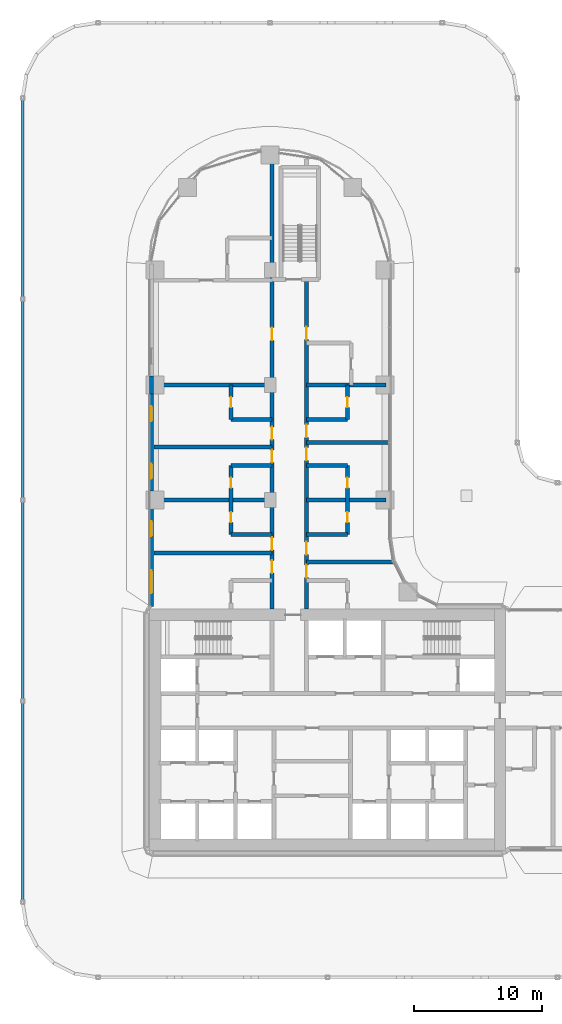
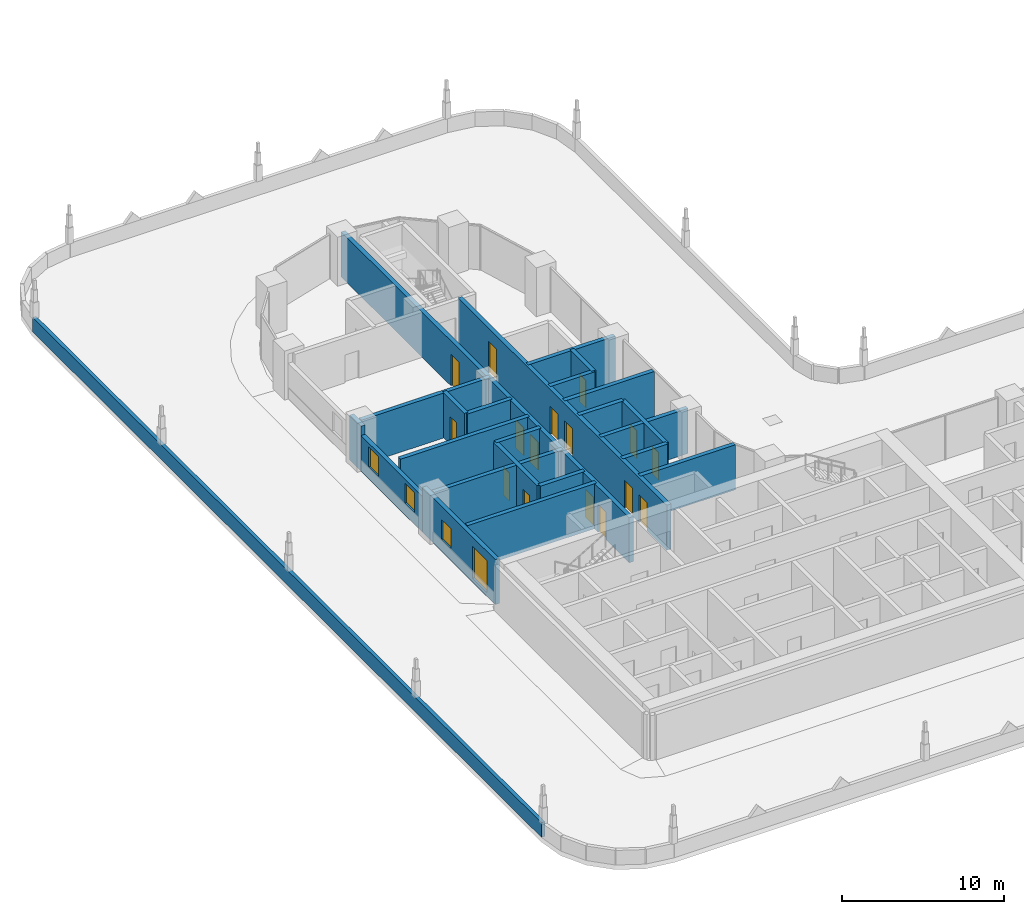
# One storey, part 26 of 51: 24 walls, 16 doors, 4 windows, 20 openings.
"""IFC4 building model written with IfcOpenShell, lengths in metres."""

import ifcopenshell
import ifcopenshell.guid

model = None  # the IFC model being written
_history = None  # IfcOwnerHistory: only IFC2X3 demands one
_inside = {}  # id of a spatial element -> (the spatial element, [elements in it])
_under = {}  # id of a project, library or spatial element -> (it, [spatial elements below it])
_declared = {}  # id of a project -> (the project, [libraries it declares])
_typed = {}  # id of a type object -> (the type object, [elements of that type])
_made_of = {}  # id of a material, layer set ... -> (it, [elements and type objects made of it])


def new_model(schema):
    """Start an empty IFC model of exactly this schema.

    Asked for "IFC4X3", IfcOpenShell would pick the latest addendum, in which some entities
    have other attributes; the version numbers below select the first issue.
    IFC2X3 requires an IfcOwnerHistory on every rooted entity: one is made here for all.
    """
    global model, _history
    if schema == "IFC4X3":
        model = ifcopenshell.file(schema_version=(4, 3, 0, 0))
    else:
        model = ifcopenshell.file(schema=schema)
    _inside.clear()
    _under.clear()
    _declared.clear()
    _typed.clear()
    _made_of.clear()
    _history = None
    if model.schema == "IFC2X3":
        org = make("IfcOrganization", Name="unknown")
        user = make(
            "IfcPersonAndOrganization",
            ThePerson=make("IfcPerson", FamilyName="unknown"),
            TheOrganization=org,
        )
        app = make(
            "IfcApplication",
            ApplicationDeveloper=org,
            Version="unknown",
            ApplicationFullName="unknown",
            ApplicationIdentifier="unknown",
        )
        _history = make(
            "IfcOwnerHistory",
            OwningUser=user,
            OwningApplication=app,
            ChangeAction="ADDED",
            CreationDate=0,
        )
    return model


def make(cls, **values):
    """One entity of the class cls with the attributes given. An attribute that is None is left unset."""
    return model.create_entity(
        cls, **{name: value for name, value in values.items() if value is not None}
    )


def rooted(cls, **values):
    """An entity with a GlobalId (a new one), such as an element, a storey or a relation."""
    return make(cls, GlobalId=ifcopenshell.guid.new(), OwnerHistory=_history, **values)


def si_unit(unit_type, name, prefix=None):
    """IfcSIUnit, for example si_unit("LENGTHUNIT", "METRE", prefix="MILLI")."""
    return make("IfcSIUnit", UnitType=unit_type, Prefix=prefix, Name=name)


def assignment(units):
    """IfcUnitAssignment: the units of a project."""
    return None if units is None else make("IfcUnitAssignment", Units=units)


def point(xyz):
    """IfcCartesianPoint."""
    return None if xyz is None else make("IfcCartesianPoint", Coordinates=xyz)


def direction(xyz):
    """IfcDirection."""
    return None if xyz is None else make("IfcDirection", DirectionRatios=xyz)


def frame(location, z_axis=None, x_axis=None):
    """IfcAxis2Placement3D, a coordinate frame: its origin and axes. An axis left out is left unset."""
    return make(
        "IfcAxis2Placement3D",
        Location=point(location),
        Axis=direction(z_axis),
        RefDirection=direction(x_axis),
    )


def frame_2d(location, x_axis=None):
    """IfcAxis2Placement2D, a coordinate frame in the plane: its origin and x axis."""
    return make(
        "IfcAxis2Placement2D", Location=point(location), RefDirection=direction(x_axis)
    )


def origin():
    """The frame at (0, 0, 0) with its axes left unset."""
    return frame((0.0, 0.0, 0.0))


def place(relative_to, where):
    """IfcLocalPlacement: puts the frame where relative to a parent placement (None: the world)."""
    return make(
        "IfcLocalPlacement", PlacementRelTo=relative_to, RelativePlacement=where
    )


def context(
    kind, dimensions, precision=None, world=None, true_north=None, identifier=None
):
    """IfcGeometricRepresentationContext, for example the 3D "Model" context."""
    return make(
        "IfcGeometricRepresentationContext",
        ContextIdentifier=identifier,
        ContextType=kind,
        CoordinateSpaceDimension=dimensions,
        Precision=precision,
        WorldCoordinateSystem=world,
        TrueNorth=true_north,
    )


def subcontext(parent, identifier, kind, view, scale=None):
    """IfcGeometricRepresentationSubContext, for example "Body" below "Model"."""
    return make(
        "IfcGeometricRepresentationSubContext",
        ContextIdentifier=identifier,
        ContextType=kind,
        ParentContext=parent,
        TargetScale=scale,
        TargetView=view,
    )


def project(units=None, contexts=None):
    """IfcProject with its units and contexts."""
    return rooted(
        "IfcProject",
        Name="project",
        RepresentationContexts=contexts,
        UnitsInContext=assignment(units),
    )


def spatial(cls, under=None, at=None, **own):
    """A site, building, storey or space (cls), placed at a placement, below another one or the project."""
    s = rooted(cls, ObjectPlacement=at, **own)
    if under is not None:
        _under.setdefault(under.id(), (under, []))[1].append(s)
    return s


def profile(cls, at=None, kind="AREA", **sizes):
    """A parametric profile (cls). Its sizes go by their IFC names, for example OverallWidth=200.0."""
    return make(cls, ProfileType=kind, Position=at, **sizes)


def rectangle(**sizes):
    """IfcRectangleProfileDef."""
    return profile("IfcRectangleProfileDef", **sizes)


def extrude(swept, where, along, depth):
    """IfcExtrudedAreaSolid: the profile swept, set in the frame where, extruded along a direction by depth."""
    return make(
        "IfcExtrudedAreaSolid",
        SweptArea=swept,
        Position=where,
        ExtrudedDirection=direction(along),
        Depth=depth,
    )


def shape(context_of_items, identifier, shape_type, items):
    """IfcShapeRepresentation: the items that make up one representation, for example the "Body"."""
    return make(
        "IfcShapeRepresentation",
        ContextOfItems=context_of_items,
        RepresentationIdentifier=identifier,
        RepresentationType=shape_type,
        Items=items,
    )


def material(Name=None, Category=None):
    """IfcMaterial."""
    return make("IfcMaterial", Name=Name, Category=Category)


def layer(
    of_material, thickness, ventilated=None, Name=None, Category=None, Priority=None
):
    """IfcMaterialLayer: one layer of a wall or slab, of a material (None: an air gap)."""
    return make(
        "IfcMaterialLayer",
        Material=of_material,
        LayerThickness=thickness,
        IsVentilated=ventilated,
        Name=Name,
        Category=Category,
        Priority=Priority,
    )


def layer_set(layers, Name=None):
    """IfcMaterialLayerSet."""
    return make("IfcMaterialLayerSet", MaterialLayers=layers, LayerSetName=Name)


def made_of(thing, what):
    """Note that an element or type object is made of a material, layer set ...; save() writes the relation."""
    if what is not None:
        _made_of.setdefault(what.id(), (what, []))[1].append(thing)
    return thing


def type_object(cls, material=None, **own):
    """A type object (cls), such as IfcWallType, which elements share."""
    return made_of(rooted(cls, **own), material)


def element(
    cls,
    number,
    at=None,
    inside=None,
    cuts=None,
    type_object=None,
    material=None,
    context=None,
    identifier="Body",
    shape_type=None,
    held_by="IfcProductDefinitionShape",
    body=None,
    shapes=None,
    **own,
):
    """One element of the class cls, such as IfcWall. Its Tag is "e" and its number.

    at: its placement. inside: the storey or other place that contains it. cuts: it is an
    opening in that element (IfcRelVoidsElement). A single representation is given by context,
    identifier, shape_type and body (its items); several are given by shapes. held_by: the class
    of the entity that holds the representations. save() writes the other relations.
    """
    e = rooted(cls, Tag="e%d" % number, ObjectPlacement=at, **own)
    if body is not None:
        shapes = [shape(context, identifier, shape_type, body)]
    if shapes is not None:
        e.Representation = make(held_by, Representations=shapes)
    if inside is not None:
        _inside.setdefault(inside.id(), (inside, []))[1].append(e)
    if cuts is not None:
        rooted(
            "IfcRelVoidsElement", RelatingBuildingElement=cuts, RelatedOpeningElement=e
        )
    if type_object is not None:
        _typed.setdefault(type_object.id(), (type_object, []))[1].append(e)
    return made_of(e, material)


def fill(opening, filler):
    """IfcRelFillsElement: the door or window that sits in an opening."""
    return rooted(
        "IfcRelFillsElement",
        RelatingOpeningElement=opening,
        RelatedBuildingElement=filler,
    )


def aggregate(whole, parts):
    """IfcRelAggregates: a whole, such as a stair, and the parts it consists of."""
    return rooted("IfcRelAggregates", RelatingObject=whole, RelatedObjects=parts)


def save(model, path):
    """Write the relations noted so far, then the file.

    IfcRelAggregates (storeys below a building ...), IfcRelContainedInSpatialStructure (elements
    in a storey), IfcRelDefinesByType, IfcRelAssociatesMaterial and IfcRelDeclares: one each for
    every whole, place, type object, material and project.
    """
    for whole, parts in _under.values():
        aggregate(whole, parts)
    for where, things in _inside.values():
        rooted(
            "IfcRelContainedInSpatialStructure",
            RelatedElements=things,
            RelatingStructure=where,
        )
    for kind, things in _typed.values():
        rooted("IfcRelDefinesByType", RelatedObjects=things, RelatingType=kind)
    for what, things in _made_of.values():
        rooted("IfcRelAssociatesMaterial", RelatedObjects=things, RelatingMaterial=what)
    for by, libraries in _declared.values():
        rooted("IfcRelDeclares", RelatingContext=by, RelatedDefinitions=libraries)
    model.write(path)


model = new_model("IFC4")

# Units and contexts
model_context = context("Model", 3, precision=1e-05, world=origin(), true_north=direction((0.0, 1.0)))
body_context = subcontext(model_context, "Body", "Model", "MODEL_VIEW")
ifc_project = project(units=[si_unit("LENGTHUNIT", "METRE"), si_unit("AREAUNIT", "SQUARE_METRE"), si_unit("VOLUMEUNIT", "CUBIC_METRE"), si_unit("PLANEANGLEUNIT", "RADIAN"), si_unit("MASSUNIT", "GRAM", prefix="KILO")], contexts=[model_context])

# Site, building, storey
site_placement = place(None, origin())
site = spatial("IfcSite", under=ifc_project, at=site_placement, CompositionType="ELEMENT")
building_placement = place(site_placement, origin())
building = spatial("IfcBuilding", under=site, at=building_placement, Name="Ogive Portal Towers", CompositionType="ELEMENT")
storey_placement = place(building_placement, frame((0.0, 0.0, 33.5)))
storey = spatial("IfcBuildingStorey", under=building, at=storey_placement, Name="L06", CompositionType="ELEMENT", Elevation=33.5)

# Wall
ifc_material_1 = material(Name="Limestone cladding on lightweight block wall", Category="masonry")
ifc_layer_1 = layer(ifc_material_1, 0.300048828125)
ifc_layer_set_1 = layer_set([ifc_layer_1], Name="EXTERNAL WALL 300 STONE")
wall_type_1 = type_object("IfcWallType", Name="EXTERNAL WALL 300 STONE", PredefinedType="SOLIDWALL", material=ifc_layer_set_1)
wall_1_placement = place(storey_placement, frame((31.22509765625, 58.199951171875, 0.0), z_axis=(0.0, 0.0, 1.0), x_axis=(0.0, -1.0, 0.0)))
element("IfcWall", 1, at=wall_1_placement, inside=storey, type_object=wall_type_1, Name="A:L06:f13:r0:wall2", PredefinedType="SOLIDWALL", context=body_context, shape_type="SweptSolid", body=[
    extrude(rectangle(XDim=1.39990234375, YDim=0.300048828125, at=frame_2d((0.699951171875, 0.0))), origin(), (0.0, 0.0, 1.0), 3.39990234375),
])

# Wall, openings, windows
wall_2_placement = place(storey_placement, frame((31.22509765625, 56.800048828125, 0.0), z_axis=(0.0, 0.0, 1.0), x_axis=(0.0, -1.0, 0.0)))
wall_2 = element("IfcWall", 2, at=wall_2_placement, inside=storey, type_object=wall_type_1, Name="A:L06:f13:r0:wall3", PredefinedType="SOLIDWALL", context=body_context, shape_type="SweptSolid", body=[
    extrude(rectangle(XDim=7.60009765625, YDim=0.300048828125, at=frame_2d((3.800048828125, 0.0))), origin(), (0.0, 0.0, 1.0), 2.699951171875),
])
opening_1_placement = place(wall_2_placement, frame((0.949951171875, 0.0, 0.89990234375)))
opening_1 = element("IfcOpeningElement", 3, at=opening_1_placement, cuts=wall_2, Name="Opening WN9", PredefinedType="OPENING", context=body_context, shape_type="SweptSolid", body=[
    extrude(rectangle(XDim=1.199951171875, YDim=1.5, at=frame_2d((0.60009765625, 0.75))), frame((0.0, 0.16015625, 0.0), z_axis=(0.0, -1.0, 0.0), x_axis=(1.0, 0.0, 0.0)), (0.0, 0.0, 1.0), 0.320068359375),
])
opening_2_placement = place(wall_2_placement, frame((5.449951171875, 0.0, 0.89990234375)))
opening_2 = element("IfcOpeningElement", 4, at=opening_2_placement, cuts=wall_2, Name="Opening WN9", PredefinedType="OPENING", context=body_context, shape_type="SweptSolid", body=[
    extrude(rectangle(XDim=1.199951171875, YDim=1.5, at=frame_2d((0.60009765625, 0.75))), frame((0.0, 0.16015625, 0.0), z_axis=(0.0, -1.0, 0.0), x_axis=(1.0, 0.0, 0.0)), (0.0, 0.0, 1.0), 0.320068359375),
])
ifc_material_2 = material(Name="Glass, clear low-iron insulated glazing", Category="glass")
window_type_1 = type_object("IfcWindowType", Name="WINDOW HOTEL CASEMENT 1200x1500", PartitioningType="DOUBLE_PANEL_VERTICAL", PredefinedType="WINDOW", material=ifc_material_2)
window_1_placement = place(opening_1_placement, origin())
window_1 = element("IfcWindow", 5, at=window_1_placement, inside=storey, type_object=window_type_1, Name="A:L06:f13:r0:w2", OverallHeight=1.5, OverallWidth=1.199951171875, PartitioningType="SINGLE_PANEL", PredefinedType="WINDOW", context=body_context, shape_type="SweptSolid", body=[
    extrude(rectangle(XDim=1.199951171875, YDim=1.5, at=frame_2d((0.60009765625, 0.75))), frame((0.0, 0.030029296875, 0.0), z_axis=(0.0, -1.0, 0.0), x_axis=(1.0, 0.0, 0.0)), (0.0, 0.0, 1.0), 0.06005859375),
])
fill(opening_1, window_1)
window_2_placement = place(opening_2_placement, origin())
window_2 = element("IfcWindow", 6, at=window_2_placement, inside=storey, type_object=window_type_1, Name="A:L06:f13:r0:w3", OverallHeight=1.5, OverallWidth=1.199951171875, PartitioningType="SINGLE_PANEL", PredefinedType="WINDOW", context=body_context, shape_type="SweptSolid", body=[
    extrude(rectangle(XDim=1.199951171875, YDim=1.5, at=frame_2d((0.60009765625, 0.75))), frame((0.0, 0.030029296875, 0.0), z_axis=(0.0, -1.0, 0.0), x_axis=(1.0, 0.0, 0.0)), (0.0, 0.0, 1.0), 0.06005859375),
])
fill(opening_2, window_2)

wall_3_placement = place(storey_placement, frame((31.22509765625, 49.199951171875, 0.0), z_axis=(0.0, 0.0, 1.0), x_axis=(0.0, -1.0, 0.0)))
wall_3 = element("IfcWall", 7, at=wall_3_placement, inside=storey, type_object=wall_type_1, Name="A:L06:f13:r0:wall4", PredefinedType="SOLIDWALL", context=body_context, shape_type="SweptSolid", body=[
    extrude(rectangle(XDim=9.01953125, YDim=0.300048828125, at=frame_2d((4.509765625, 0.0))), origin(), (0.0, 0.0, 1.0), 3.39990234375),
])
opening_3_placement = place(wall_3_placement, frame((2.35009765625, 0.0, 0.89990234375)))
opening_3 = element("IfcOpeningElement", 8, at=opening_3_placement, cuts=wall_3, Name="Opening WN9", PredefinedType="OPENING", context=body_context, shape_type="SweptSolid", body=[
    extrude(rectangle(XDim=1.199951171875, YDim=1.5, at=frame_2d((0.60009765625, 0.75))), frame((0.0, 0.16015625, 0.0), z_axis=(0.0, -1.0, 0.0), x_axis=(1.0, 0.0, 0.0)), (0.0, 0.0, 1.0), 0.320068359375),
])
opening_4_placement = place(wall_3_placement, frame((6.209716796875, 0.0, 0.300048828125)))
opening_4 = element("IfcOpeningElement", 9, at=opening_4_placement, cuts=wall_3, Name="Opening WN10", PredefinedType="OPENING", context=body_context, shape_type="SweptSolid", body=[
    extrude(rectangle(XDim=1.800048828125, YDim=2.39990234375, at=frame_2d((0.89990234375, 1.199951171875))), frame((0.0, 0.16015625, 0.0), z_axis=(0.0, -1.0, 0.0), x_axis=(1.0, 0.0, 0.0)), (0.0, 0.0, 1.0), 0.320068359375),
])
window_3_placement = place(opening_3_placement, origin())
window_3 = element("IfcWindow", 10, at=window_3_placement, inside=storey, type_object=window_type_1, Name="A:L06:f13:r0:w4", OverallHeight=1.5, OverallWidth=1.199951171875, PartitioningType="SINGLE_PANEL", PredefinedType="WINDOW", context=body_context, shape_type="SweptSolid", body=[
    extrude(rectangle(XDim=1.199951171875, YDim=1.5, at=frame_2d((0.60009765625, 0.75))), frame((0.0, 0.030029296875, 0.0), z_axis=(0.0, -1.0, 0.0), x_axis=(1.0, 0.0, 0.0)), (0.0, 0.0, 1.0), 0.06005859375),
])
fill(opening_3, window_3)
window_type_2 = type_object("IfcWindowType", Name="WINDOW SUITE CORNER 1800x2400", PartitioningType="DOUBLE_PANEL_VERTICAL", PredefinedType="WINDOW", material=ifc_material_2)
window_4_placement = place(opening_4_placement, origin())
window_4 = element("IfcWindow", 11, at=window_4_placement, inside=storey, type_object=window_type_2, Name="A:L06:f13:r0:w5", OverallHeight=2.39990234375, OverallWidth=1.800048828125, PartitioningType="SINGLE_PANEL", PredefinedType="WINDOW", context=body_context, shape_type="SweptSolid", body=[
    extrude(rectangle(XDim=1.800048828125, YDim=2.39990234375, at=frame_2d((0.89990234375, 1.199951171875))), frame((0.0, 0.030029296875, 0.0), z_axis=(0.0, -1.0, 0.0), x_axis=(1.0, 0.0, 0.0)), (0.0, 0.0, 1.0), 0.06005859375),
])
fill(opening_4, window_4)

# Walls
ifc_layer_2 = layer(ifc_material_1, 0.25)
ifc_layer_set_2 = layer_set([ifc_layer_2], Name="PARAPET 250 STONE")
wall_type_2 = type_object("IfcWallType", Name="PARAPET 250 STONE", PredefinedType="PARAPET", material=ifc_layer_set_2)
wall_4_placement = place(storey_placement, frame((21.125, 79.980224609375, 0.0), z_axis=(0.0, 0.0, 1.0), x_axis=(0.0, -1.0, 0.0)))
element("IfcWall", 12, at=wall_4_placement, inside=storey, type_object=wall_type_2, Name="A:L06:proof0:para00", PredefinedType="PARAPET", context=body_context, shape_type="SweptSolid", body=[
    extrude(rectangle(XDim=62.96044921875, YDim=0.25, at=frame_2d((31.480224609375, 0.0))), origin(), (0.0, 0.0, 1.0), 1.10009765625),
])
ifc_material_3 = material(Name="Gypsum board partition on steel studs", Category="steel")
ifc_layer_3 = layer(ifc_material_3, 0.300048828125)
ifc_layer_set_3 = layer_set([ifc_layer_3], Name="WT-PART-300-EI 60")
wall_type_3 = type_object("IfcWallType", Name="WT-PART-300-EI 60", PredefinedType="PARTITIONING", material=ifc_layer_set_3)
wall_5_placement = place(storey_placement, frame((43.35009765625, 43.639892578125, 0.0), z_axis=(0.0, 0.0, 1.0), x_axis=(1.0, 0.0, 0.0)))
element("IfcWall", 13, at=wall_5_placement, inside=storey, type_object=wall_type_3, Name="Wall L06:w016", PredefinedType="PARTITIONING", context=body_context, shape_type="SweptSolid", body=[
    extrude(rectangle(XDim=6.7958984375, YDim=0.300048828125, at=frame_2d((3.39794921875, 0.0))), origin(), (0.0, 0.0, 1.0), 3.39990234375),
])
wall_6_placement = place(storey_placement, frame((31.425048828125, 44.360107421875, 0.0), z_axis=(0.0, 0.0, 1.0), x_axis=(1.0, 0.0, 0.0)))
element("IfcWall", 14, at=wall_6_placement, inside=storey, type_object=wall_type_3, Name="Wall L06:w017", PredefinedType="PARTITIONING", context=body_context, shape_type="SweptSolid", body=[
    extrude(rectangle(XDim=9.224853515625, YDim=0.300048828125, at=frame_2d((4.6123046875, 0.0))), origin(), (0.0, 0.0, 1.0), 3.39990234375),
])
for number, where, z_axis, x_axis, name in (
    (15, (37.449951171875, 45.800048828125, 0.0), (0.0, 0.0, 1.0), (1.0, 0.0, 0.0), "Wall L06:w018"),
    (16, (43.35009765625, 45.800048828125, 0.0), (0.0, 0.0, 1.0), (1.0, 0.0, 0.0), "Wall L06:w019"),
):
    element("IfcWall", number, at=place(storey_placement, frame(where, z_axis=z_axis, x_axis=x_axis)), inside=storey, type_object=wall_type_3, Name=name, PredefinedType="PARTITIONING", context=body_context, shape_type="SweptSolid", body=[
        extrude(rectangle(XDim=3.199951171875, YDim=0.300048828125, at=frame_2d((1.60009765625, 0.0))), origin(), (0.0, 0.0, 1.0), 3.39990234375),
    ])
wall_7_placement = place(storey_placement, frame((31.425048828125, 48.5, 0.0), z_axis=(0.0, 0.0, 1.0), x_axis=(1.0, 0.0, 0.0)))
element("IfcWall", 17, at=wall_7_placement, inside=storey, type_object=wall_type_3, Name="Wall L06:w020", PredefinedType="PARTITIONING", context=body_context, shape_type="SweptSolid", body=[
    extrude(rectangle(XDim=9.224853515625, YDim=0.300048828125, at=frame_2d((4.6123046875, 0.0))), origin(), (0.0, 0.0, 1.0), 3.39990234375),
])
wall_8_placement = place(storey_placement, frame((43.35009765625, 48.5, 0.0), z_axis=(0.0, 0.0, 1.0), x_axis=(1.0, 0.0, 0.0)))
element("IfcWall", 18, at=wall_8_placement, inside=storey, type_object=wall_type_3, Name="Wall L06:w021", PredefinedType="PARTITIONING", context=body_context, shape_type="SweptSolid", body=[
    extrude(rectangle(XDim=6.224853515625, YDim=0.300048828125, at=frame_2d((3.1123046875, 0.0))), origin(), (0.0, 0.0, 1.0), 3.39990234375),
])
for number, where, z_axis, x_axis, name in (
    (19, (37.449951171875, 51.199951171875, 0.0), (0.0, 0.0, 1.0), (1.0, 0.0, 0.0), "Wall L06:w022"),
    (20, (43.35009765625, 51.199951171875, 0.0), (0.0, 0.0, 1.0), (1.0, 0.0, 0.0), "Wall L06:w023"),
):
    element("IfcWall", number, at=place(storey_placement, frame(where, z_axis=z_axis, x_axis=x_axis)), inside=storey, type_object=wall_type_3, Name=name, PredefinedType="PARTITIONING", context=body_context, shape_type="SweptSolid", body=[
        extrude(rectangle(XDim=3.199951171875, YDim=0.300048828125, at=frame_2d((1.60009765625, 0.0))), origin(), (0.0, 0.0, 1.0), 3.39990234375),
    ])
wall_9_placement = place(storey_placement, frame((31.425048828125, 52.639892578125, 0.0), z_axis=(0.0, 0.0, 1.0), x_axis=(1.0, 0.0, 0.0)))
element("IfcWall", 21, at=wall_9_placement, inside=storey, type_object=wall_type_3, Name="Wall L06:w024", PredefinedType="PARTITIONING", context=body_context, shape_type="SweptSolid", body=[
    extrude(rectangle(XDim=9.224853515625, YDim=0.300048828125, at=frame_2d((4.6123046875, 0.0))), origin(), (0.0, 0.0, 1.0), 3.39990234375),
])
wall_10_placement = place(storey_placement, frame((43.35009765625, 53.0, 0.0), z_axis=(0.0, 0.0, 1.0), x_axis=(1.0, 0.0, 0.0)))
element("IfcWall", 22, at=wall_10_placement, inside=storey, type_object=wall_type_3, Name="Wall L06:w025", PredefinedType="PARTITIONING", context=body_context, shape_type="SweptSolid", body=[
    extrude(rectangle(XDim=6.40478515625, YDim=0.300048828125, at=frame_2d((3.202392578125, 0.0))), origin(), (0.0, 0.0, 1.0), 3.39990234375),
])
for number, where, z_axis, x_axis, name in (
    (23, (37.449951171875, 54.800048828125, 0.0), (0.0, 0.0, 1.0), (1.0, 0.0, 0.0), "Wall L06:w026"),
    (24, (43.35009765625, 54.800048828125, 0.0), (0.0, 0.0, 1.0), (1.0, 0.0, 0.0), "Wall L06:w027"),
):
    element("IfcWall", number, at=place(storey_placement, frame(where, z_axis=z_axis, x_axis=x_axis)), inside=storey, type_object=wall_type_3, Name=name, PredefinedType="PARTITIONING", context=body_context, shape_type="SweptSolid", body=[
        extrude(rectangle(XDim=3.199951171875, YDim=0.300048828125, at=frame_2d((1.60009765625, 0.0))), origin(), (0.0, 0.0, 1.0), 3.39990234375),
    ])
wall_11_placement = place(storey_placement, frame((31.425048828125, 57.5, 0.0), z_axis=(0.0, 0.0, 1.0), x_axis=(1.0, 0.0, 0.0)))
element("IfcWall", 25, at=wall_11_placement, inside=storey, type_object=wall_type_3, Name="Wall L06:w028", PredefinedType="PARTITIONING", context=body_context, shape_type="SweptSolid", body=[
    extrude(rectangle(XDim=9.224853515625, YDim=0.300048828125, at=frame_2d((4.6123046875, 0.0))), origin(), (0.0, 0.0, 1.0), 3.39990234375),
])
wall_12_placement = place(storey_placement, frame((43.35009765625, 57.5, 0.0), z_axis=(0.0, 0.0, 1.0), x_axis=(1.0, 0.0, 0.0)))
element("IfcWall", 26, at=wall_12_placement, inside=storey, type_object=wall_type_3, Name="Wall L06:w029", PredefinedType="PARTITIONING", context=body_context, shape_type="SweptSolid", body=[
    extrude(rectangle(XDim=6.224853515625, YDim=0.300048828125, at=frame_2d((3.1123046875, 0.0))), origin(), (0.0, 0.0, 1.0), 3.39990234375),
])

# Wall, openings, doors
wall_13_placement = place(storey_placement, frame((37.449951171875, 45.800048828125, 0.0), z_axis=(0.0, 0.0, 1.0), x_axis=(0.0, 1.0, 0.0)))
wall_13 = element("IfcWall", 27, at=wall_13_placement, inside=storey, type_object=wall_type_3, Name="Wall L06:w037", PredefinedType="PARTITIONING", context=body_context, shape_type="SweptSolid", body=[
    extrude(rectangle(XDim=5.39990234375, YDim=0.300048828125, at=frame_2d((2.699951171875, 0.0))), origin(), (0.0, 0.0, 1.0), 3.39990234375),
])
opening_5_placement = place(wall_13_placement, frame((0.949951171875, 0.0, 0.0)))
opening_5 = element("IfcOpeningElement", 28, at=opening_5_placement, cuts=wall_13, Name="Opening D01-052", PredefinedType="OPENING", context=body_context, shape_type="SweptSolid", body=[
    extrude(rectangle(XDim=0.800048828125, YDim=2.10009765625, at=frame_2d((0.39990234375, 1.050048828125))), frame((0.0, 0.16015625, 0.0), z_axis=(0.0, -1.0, 0.0), x_axis=(1.0, 0.0, 0.0)), (0.0, 0.0, 1.0), 0.320068359375),
])
opening_6_placement = place(wall_13_placement, frame((3.64990234375, 0.0, 0.0)))
opening_6 = element("IfcOpeningElement", 29, at=opening_6_placement, cuts=wall_13, Name="Opening D01-058", PredefinedType="OPENING", context=body_context, shape_type="SweptSolid", body=[
    extrude(rectangle(XDim=0.800048828125, YDim=2.10009765625, at=frame_2d((0.39990234375, 1.050048828125))), frame((0.0, 0.16015625, 0.0), z_axis=(0.0, -1.0, 0.0), x_axis=(1.0, 0.0, 0.0)), (0.0, 0.0, 1.0), 0.320068359375),
])
ifc_material_4 = material(Name="Steel fire door", Category="steel")
door_type_1 = type_object("IfcDoorType", Name="DT-BATH-800x2100-FD60S", OperationType="SINGLE_SWING_LEFT", PredefinedType="DOOR", material=ifc_material_4)
door_1_placement = place(opening_5_placement, origin())
door_1 = element("IfcDoor", 30, at=door_1_placement, inside=storey, type_object=door_type_1, Name="Door D01-052", OperationType="SINGLE_SWING_RIGHT", OverallHeight=2.10009765625, OverallWidth=0.800048828125, PredefinedType="DOOR", context=body_context, shape_type="SweptSolid", body=[
    extrude(rectangle(XDim=0.800048828125, YDim=2.10009765625, at=frame_2d((0.39990234375, 1.050048828125))), frame((0.0, 0.02490234375, 0.0), z_axis=(0.0, -1.0, 0.0), x_axis=(1.0, 0.0, 0.0)), (0.0, 0.0, 1.0), 0.050048828125),
])
fill(opening_5, door_1)
door_2_placement = place(opening_6_placement, origin())
door_2 = element("IfcDoor", 31, at=door_2_placement, inside=storey, type_object=door_type_1, Name="Door D01-058", OperationType="SINGLE_SWING_RIGHT", OverallHeight=2.10009765625, OverallWidth=0.800048828125, PredefinedType="DOOR", context=body_context, shape_type="SweptSolid", body=[
    extrude(rectangle(XDim=0.800048828125, YDim=2.10009765625, at=frame_2d((0.39990234375, 1.050048828125))), frame((0.0, 0.02490234375, 0.0), z_axis=(0.0, -1.0, 0.0), x_axis=(1.0, 0.0, 0.0)), (0.0, 0.0, 1.0), 0.050048828125),
])
fill(opening_6, door_2)

# Wall, opening, door
wall_14_placement = place(storey_placement, frame((37.449951171875, 54.800048828125, 0.0), z_axis=(0.0, 0.0, 1.0), x_axis=(0.0, 1.0, 0.0)))
wall_14 = element("IfcWall", 32, at=wall_14_placement, inside=storey, type_object=wall_type_3, Name="Wall L06:w038", PredefinedType="PARTITIONING", context=body_context, shape_type="SweptSolid", body=[
    extrude(rectangle(XDim=2.699951171875, YDim=0.300048828125, at=frame_2d((1.35009765625, 0.0))), origin(), (0.0, 0.0, 1.0), 3.39990234375),
])
opening_7_placement = place(wall_14_placement, frame((0.949951171875, 0.0, 0.0)))
opening_7 = element("IfcOpeningElement", 33, at=opening_7_placement, cuts=wall_14, Name="Opening D01-060", PredefinedType="OPENING", context=body_context, shape_type="SweptSolid", body=[
    extrude(rectangle(XDim=0.800048828125, YDim=2.10009765625, at=frame_2d((0.39990234375, 1.050048828125))), frame((0.0, 0.16015625, 0.0), z_axis=(0.0, -1.0, 0.0), x_axis=(1.0, 0.0, 0.0)), (0.0, 0.0, 1.0), 0.320068359375),
])
door_3_placement = place(opening_7_placement, origin())
door_3 = element("IfcDoor", 34, at=door_3_placement, inside=storey, type_object=door_type_1, Name="Door D01-060", OperationType="SINGLE_SWING_LEFT", OverallHeight=2.10009765625, OverallWidth=0.800048828125, PredefinedType="DOOR", context=body_context, shape_type="SweptSolid", body=[
    extrude(rectangle(XDim=0.800048828125, YDim=2.10009765625, at=frame_2d((0.39990234375, 1.050048828125))), frame((0.0, 0.02490234375, 0.0), z_axis=(0.0, -1.0, 0.0), x_axis=(1.0, 0.0, 0.0)), (0.0, 0.0, 1.0), 0.050048828125),
])
fill(opening_7, door_3)

# Wall, openings, doors
wall_15_placement = place(storey_placement, frame((40.64990234375, 39.949951171875, 0.0), z_axis=(0.0, 0.0, 1.0), x_axis=(0.0, 1.0, 0.0)))
wall_15 = element("IfcWall", 35, at=wall_15_placement, inside=storey, type_object=wall_type_3, Name="Wall L06:w039", PredefinedType="PARTITIONING", context=body_context, shape_type="SweptSolid", body=[
    extrude(rectangle(XDim=35.625, YDim=0.300048828125, at=frame_2d((17.8125, 0.0))), origin(), (0.0, 0.0, 1.0), 3.39990234375),
])
opening_8_placement = place(wall_15_placement, frame((2.830078125, 0.0, 0.0)))
opening_8 = element("IfcOpeningElement", 36, at=opening_8_placement, cuts=wall_15, Name="Opening D01-051", PredefinedType="OPENING", context=body_context, shape_type="SweptSolid", body=[
    extrude(rectangle(XDim=1.0, YDim=2.10009765625, at=frame_2d((0.5, 1.050048828125))), frame((0.0, 0.16015625, 0.0), z_axis=(0.0, -1.0, 0.0), x_axis=(1.0, 0.0, 0.0)), (0.0, 0.0, 1.0), 0.320068359375),
])
opening_9_placement = place(wall_15_placement, frame((4.6298828125, 0.0, 0.0)))
opening_9 = element("IfcOpeningElement", 37, at=opening_9_placement, cuts=wall_15, Name="Opening D01-053", PredefinedType="OPENING", context=body_context, shape_type="SweptSolid", body=[
    extrude(rectangle(XDim=1.0, YDim=2.10009765625, at=frame_2d((0.5, 1.050048828125))), frame((0.0, 0.16015625, 0.0), z_axis=(0.0, -1.0, 0.0), x_axis=(1.0, 0.0, 0.0)), (0.0, 0.0, 1.0), 0.320068359375),
])
opening_10_placement = place(wall_15_placement, frame((11.469970703125, 0.0, 0.0)))
opening_10 = element("IfcOpeningElement", 38, at=opening_10_placement, cuts=wall_15, Name="Opening D01-059", PredefinedType="OPENING", context=body_context, shape_type="SweptSolid", body=[
    extrude(rectangle(XDim=1.0, YDim=2.10009765625, at=frame_2d((0.5, 1.050048828125))), frame((0.0, 0.16015625, 0.0), z_axis=(0.0, -1.0, 0.0), x_axis=(1.0, 0.0, 0.0)), (0.0, 0.0, 1.0), 0.320068359375),
])
opening_11_placement = place(wall_15_placement, frame((13.27001953125, 0.0, 0.0)))
opening_11 = element("IfcOpeningElement", 39, at=opening_11_placement, cuts=wall_15, Name="Opening D01-061", PredefinedType="OPENING", context=body_context, shape_type="SweptSolid", body=[
    extrude(rectangle(XDim=1.0, YDim=2.10009765625, at=frame_2d((0.5, 1.050048828125))), frame((0.0, 0.16015625, 0.0), z_axis=(0.0, -1.0, 0.0), x_axis=(1.0, 0.0, 0.0)), (0.0, 0.0, 1.0), 0.320068359375),
])
opening_12_placement = place(wall_15_placement, frame((21.050048828125, 0.0, 0.0)))
opening_12 = element("IfcOpeningElement", 40, at=opening_12_placement, cuts=wall_15, Name="Opening D01-064", PredefinedType="OPENING", context=body_context, shape_type="SweptSolid", body=[
    extrude(rectangle(XDim=1.0, YDim=2.39990234375, at=frame_2d((0.5, 1.199951171875))), frame((0.0, 0.16015625, 0.0), z_axis=(0.0, -1.0, 0.0), x_axis=(1.0, 0.0, 0.0)), (0.0, 0.0, 1.0), 0.320068359375),
])
door_type_2 = type_object("IfcDoorType", Name="DT-ENTRY-1000x2100-FD60S", OperationType="SINGLE_SWING_LEFT", PredefinedType="DOOR", material=ifc_material_4)
door_4_placement = place(opening_8_placement, origin())
door_4 = element("IfcDoor", 41, at=door_4_placement, inside=storey, type_object=door_type_2, Name="Door D01-051", OperationType="SINGLE_SWING_RIGHT", OverallHeight=2.10009765625, OverallWidth=1.0, PredefinedType="DOOR", context=body_context, shape_type="SweptSolid", body=[
    extrude(rectangle(XDim=1.0, YDim=2.10009765625, at=frame_2d((0.5, 1.050048828125))), frame((0.0, 0.02490234375, 0.0), z_axis=(0.0, -1.0, 0.0), x_axis=(1.0, 0.0, 0.0)), (0.0, 0.0, 1.0), 0.050048828125),
])
fill(opening_8, door_4)
door_5_placement = place(opening_9_placement, origin())
door_5 = element("IfcDoor", 42, at=door_5_placement, inside=storey, type_object=door_type_2, Name="Door D01-053", OperationType="SINGLE_SWING_LEFT", OverallHeight=2.10009765625, OverallWidth=1.0, PredefinedType="DOOR", context=body_context, shape_type="SweptSolid", body=[
    extrude(rectangle(XDim=1.0, YDim=2.10009765625, at=frame_2d((0.5, 1.050048828125))), frame((0.0, 0.02490234375, 0.0), z_axis=(0.0, -1.0, 0.0), x_axis=(1.0, 0.0, 0.0)), (0.0, 0.0, 1.0), 0.050048828125),
])
fill(opening_9, door_5)
door_6_placement = place(opening_10_placement, origin())
door_6 = element("IfcDoor", 43, at=door_6_placement, inside=storey, type_object=door_type_2, Name="Door D01-059", OperationType="SINGLE_SWING_LEFT", OverallHeight=2.10009765625, OverallWidth=1.0, PredefinedType="DOOR", context=body_context, shape_type="SweptSolid", body=[
    extrude(rectangle(XDim=1.0, YDim=2.10009765625, at=frame_2d((0.5, 1.050048828125))), frame((0.0, 0.02490234375, 0.0), z_axis=(0.0, -1.0, 0.0), x_axis=(1.0, 0.0, 0.0)), (0.0, 0.0, 1.0), 0.050048828125),
])
fill(opening_10, door_6)
door_7_placement = place(opening_11_placement, origin())
door_7 = element("IfcDoor", 44, at=door_7_placement, inside=storey, type_object=door_type_2, Name="Door D01-061", OperationType="SINGLE_SWING_LEFT", OverallHeight=2.10009765625, OverallWidth=1.0, PredefinedType="DOOR", context=body_context, shape_type="SweptSolid", body=[
    extrude(rectangle(XDim=1.0, YDim=2.10009765625, at=frame_2d((0.5, 1.050048828125))), frame((0.0, 0.02490234375, 0.0), z_axis=(0.0, -1.0, 0.0), x_axis=(1.0, 0.0, 0.0)), (0.0, 0.0, 1.0), 0.050048828125),
])
fill(opening_11, door_7)
door_type_3 = type_object("IfcDoorType", Name="DT-ENTRY-1000x2400-FD60S", OperationType="SINGLE_SWING_LEFT", PredefinedType="DOOR", material=ifc_material_4)
door_8_placement = place(opening_12_placement, origin())
door_8 = element("IfcDoor", 45, at=door_8_placement, inside=storey, type_object=door_type_3, Name="Door D01-064", OperationType="SINGLE_SWING_LEFT", OverallHeight=2.39990234375, OverallWidth=1.0, PredefinedType="DOOR", context=body_context, shape_type="SweptSolid", body=[
    extrude(rectangle(XDim=1.0, YDim=2.39990234375, at=frame_2d((0.5, 1.199951171875))), frame((0.0, 0.02490234375, 0.0), z_axis=(0.0, -1.0, 0.0), x_axis=(1.0, 0.0, 0.0)), (0.0, 0.0, 1.0), 0.050048828125),
])
fill(opening_12, door_8)

wall_16_placement = place(storey_placement, frame((46.550048828125, 45.800048828125, 0.0), z_axis=(0.0, 0.0, 1.0), x_axis=(0.0, 1.0, 0.0)))
wall_16 = element("IfcWall", 46, at=wall_16_placement, inside=storey, type_object=wall_type_3, Name="Wall L06:w045", PredefinedType="PARTITIONING", context=body_context, shape_type="SweptSolid", body=[
    extrude(rectangle(XDim=5.39990234375, YDim=0.300048828125, at=frame_2d((2.699951171875, 0.0))), origin(), (0.0, 0.0, 1.0), 3.39990234375),
])
opening_13_placement = place(wall_16_placement, frame((0.949951171875, 0.0, 0.0)))
opening_13 = element("IfcOpeningElement", 47, at=opening_13_placement, cuts=wall_16, Name="Opening D01-048", PredefinedType="OPENING", context=body_context, shape_type="SweptSolid", body=[
    extrude(rectangle(XDim=0.800048828125, YDim=2.10009765625, at=frame_2d((0.39990234375, 1.050048828125))), frame((0.0, 0.16015625, 0.0), z_axis=(0.0, -1.0, 0.0), x_axis=(1.0, 0.0, 0.0)), (0.0, 0.0, 1.0), 0.320068359375),
])
opening_14_placement = place(wall_16_placement, frame((3.64990234375, 0.0, 0.0)))
opening_14 = element("IfcOpeningElement", 48, at=opening_14_placement, cuts=wall_16, Name="Opening D01-054", PredefinedType="OPENING", context=body_context, shape_type="SweptSolid", body=[
    extrude(rectangle(XDim=0.800048828125, YDim=2.10009765625, at=frame_2d((0.39990234375, 1.050048828125))), frame((0.0, 0.16015625, 0.0), z_axis=(0.0, -1.0, 0.0), x_axis=(1.0, 0.0, 0.0)), (0.0, 0.0, 1.0), 0.320068359375),
])
door_9_placement = place(opening_13_placement, origin())
door_9 = element("IfcDoor", 49, at=door_9_placement, inside=storey, type_object=door_type_1, Name="Door D01-048", OperationType="SINGLE_SWING_LEFT", OverallHeight=2.10009765625, OverallWidth=0.800048828125, PredefinedType="DOOR", context=body_context, shape_type="SweptSolid", body=[
    extrude(rectangle(XDim=0.800048828125, YDim=2.10009765625, at=frame_2d((0.39990234375, 1.050048828125))), frame((0.0, 0.02490234375, 0.0), z_axis=(0.0, -1.0, 0.0), x_axis=(1.0, 0.0, 0.0)), (0.0, 0.0, 1.0), 0.050048828125),
])
fill(opening_13, door_9)
door_10_placement = place(opening_14_placement, origin())
door_10 = element("IfcDoor", 50, at=door_10_placement, inside=storey, type_object=door_type_1, Name="Door D01-054", OperationType="SINGLE_SWING_LEFT", OverallHeight=2.10009765625, OverallWidth=0.800048828125, PredefinedType="DOOR", context=body_context, shape_type="SweptSolid", body=[
    extrude(rectangle(XDim=0.800048828125, YDim=2.10009765625, at=frame_2d((0.39990234375, 1.050048828125))), frame((0.0, 0.02490234375, 0.0), z_axis=(0.0, -1.0, 0.0), x_axis=(1.0, 0.0, 0.0)), (0.0, 0.0, 1.0), 0.050048828125),
])
fill(opening_14, door_10)

# Wall, opening, door
wall_17_placement = place(storey_placement, frame((46.550048828125, 54.800048828125, 0.0), z_axis=(0.0, 0.0, 1.0), x_axis=(0.0, 1.0, 0.0)))
wall_17 = element("IfcWall", 51, at=wall_17_placement, inside=storey, type_object=wall_type_3, Name="Wall L06:w046", PredefinedType="PARTITIONING", context=body_context, shape_type="SweptSolid", body=[
    extrude(rectangle(XDim=2.699951171875, YDim=0.300048828125, at=frame_2d((1.35009765625, 0.0))), origin(), (0.0, 0.0, 1.0), 3.39990234375),
])
opening_15_placement = place(wall_17_placement, frame((0.949951171875, 0.0, 0.0)))
opening_15 = element("IfcOpeningElement", 52, at=opening_15_placement, cuts=wall_17, Name="Opening D01-056", PredefinedType="OPENING", context=body_context, shape_type="SweptSolid", body=[
    extrude(rectangle(XDim=0.800048828125, YDim=2.10009765625, at=frame_2d((0.39990234375, 1.050048828125))), frame((0.0, 0.16015625, 0.0), z_axis=(0.0, -1.0, 0.0), x_axis=(1.0, 0.0, 0.0)), (0.0, 0.0, 1.0), 0.320068359375),
])
door_11_placement = place(opening_15_placement, origin())
door_11 = element("IfcDoor", 53, at=door_11_placement, inside=storey, type_object=door_type_1, Name="Door D01-056", OperationType="SINGLE_SWING_LEFT", OverallHeight=2.10009765625, OverallWidth=0.800048828125, PredefinedType="DOOR", context=body_context, shape_type="SweptSolid", body=[
    extrude(rectangle(XDim=0.800048828125, YDim=2.10009765625, at=frame_2d((0.39990234375, 1.050048828125))), frame((0.0, 0.02490234375, 0.0), z_axis=(0.0, -1.0, 0.0), x_axis=(1.0, 0.0, 0.0)), (0.0, 0.0, 1.0), 0.050048828125),
])
fill(opening_15, door_11)

# Wall, openings, doors
ifc_material_5 = material(Name="Concrete C40/50", Category="concrete")
ifc_layer_4 = layer(ifc_material_5, 0.300048828125)
ifc_layer_set_4 = layer_set([ifc_layer_4], Name="WT-SHAFT-300")
wall_type_4 = type_object("IfcWallType", Name="WT-SHAFT-300", PredefinedType="SOLIDWALL", material=ifc_layer_set_4)
wall_18_placement = place(storey_placement, frame((43.35009765625, 39.949951171875, 0.0), z_axis=(0.0, 0.0, 1.0), x_axis=(0.0, 1.0, 0.0)))
wall_18 = element("IfcWall", 54, at=wall_18_placement, inside=storey, type_object=wall_type_4, Name="Wall L06:w041", PredefinedType="SOLIDWALL", context=body_context, shape_type="SweptSolid", body=[
    extrude(rectangle(XDim=25.85009765625, YDim=0.300048828125, at=frame_2d((12.925048828125, 0.0))), origin(), (0.0, 0.0, 1.0), 3.39990234375),
])
opening_16_placement = place(wall_18_placement, frame((2.469970703125, 0.0, 0.0)))
opening_16 = element("IfcOpeningElement", 55, at=opening_16_placement, cuts=wall_18, Name="Opening D01-047", PredefinedType="OPENING", context=body_context, shape_type="SweptSolid", body=[
    extrude(rectangle(XDim=1.0, YDim=2.10009765625, at=frame_2d((0.5, 1.050048828125))), frame((0.0, 0.16015625, 0.0), z_axis=(0.0, -1.0, 0.0), x_axis=(1.0, 0.0, 0.0)), (0.0, 0.0, 1.0), 0.320068359375),
])
opening_17_placement = place(wall_18_placement, frame((4.27001953125, 0.0, 0.0)))
opening_17 = element("IfcOpeningElement", 56, at=opening_17_placement, cuts=wall_18, Name="Opening D01-049", PredefinedType="OPENING", context=body_context, shape_type="SweptSolid", body=[
    extrude(rectangle(XDim=1.0, YDim=2.10009765625, at=frame_2d((0.5, 1.050048828125))), frame((0.0, 0.16015625, 0.0), z_axis=(0.0, -1.0, 0.0), x_axis=(1.0, 0.0, 0.0)), (0.0, 0.0, 1.0), 0.320068359375),
])
opening_18_placement = place(wall_18_placement, frame((11.64990234375, 0.0, 0.0)))
opening_18 = element("IfcOpeningElement", 57, at=opening_18_placement, cuts=wall_18, Name="Opening D01-055", PredefinedType="OPENING", context=body_context, shape_type="SweptSolid", body=[
    extrude(rectangle(XDim=1.0, YDim=2.10009765625, at=frame_2d((0.5, 1.050048828125))), frame((0.0, 0.16015625, 0.0), z_axis=(0.0, -1.0, 0.0), x_axis=(1.0, 0.0, 0.0)), (0.0, 0.0, 1.0), 0.320068359375),
])
opening_19_placement = place(wall_18_placement, frame((13.449951171875, 0.0, 0.0)))
opening_19 = element("IfcOpeningElement", 58, at=opening_19_placement, cuts=wall_18, Name="Opening D01-057", PredefinedType="OPENING", context=body_context, shape_type="SweptSolid", body=[
    extrude(rectangle(XDim=1.0, YDim=2.10009765625, at=frame_2d((0.5, 1.050048828125))), frame((0.0, 0.16015625, 0.0), z_axis=(0.0, -1.0, 0.0), x_axis=(1.0, 0.0, 0.0)), (0.0, 0.0, 1.0), 0.320068359375),
])
opening_20_placement = place(wall_18_placement, frame((21.10009765625, 0.0, 0.0)))
opening_20 = element("IfcOpeningElement", 59, at=opening_20_placement, cuts=wall_18, Name="Opening D01-063", PredefinedType="OPENING", context=body_context, shape_type="SweptSolid", body=[
    extrude(rectangle(XDim=1.0, YDim=2.39990234375, at=frame_2d((0.5, 1.199951171875))), frame((0.0, 0.16015625, 0.0), z_axis=(0.0, -1.0, 0.0), x_axis=(1.0, 0.0, 0.0)), (0.0, 0.0, 1.0), 0.320068359375),
])
door_type_4 = type_object("IfcDoorType", Name="DT-ENTRY-1000x2100-FD90S", OperationType="SINGLE_SWING_LEFT", PredefinedType="DOOR", material=ifc_material_4)
door_12_placement = place(opening_16_placement, origin())
door_12 = element("IfcDoor", 60, at=door_12_placement, inside=storey, type_object=door_type_4, Name="Door D01-047", OperationType="SINGLE_SWING_LEFT", OverallHeight=2.10009765625, OverallWidth=1.0, PredefinedType="DOOR", context=body_context, shape_type="SweptSolid", body=[
    extrude(rectangle(XDim=1.0, YDim=2.10009765625, at=frame_2d((0.5, 1.050048828125))), frame((0.0, 0.02490234375, 0.0), z_axis=(0.0, -1.0, 0.0), x_axis=(1.0, 0.0, 0.0)), (0.0, 0.0, 1.0), 0.050048828125),
])
fill(opening_16, door_12)
door_13_placement = place(opening_17_placement, origin())
door_13 = element("IfcDoor", 61, at=door_13_placement, inside=storey, type_object=door_type_4, Name="Door D01-049", OperationType="SINGLE_SWING_LEFT", OverallHeight=2.10009765625, OverallWidth=1.0, PredefinedType="DOOR", context=body_context, shape_type="SweptSolid", body=[
    extrude(rectangle(XDim=1.0, YDim=2.10009765625, at=frame_2d((0.5, 1.050048828125))), frame((0.0, 0.02490234375, 0.0), z_axis=(0.0, -1.0, 0.0), x_axis=(1.0, 0.0, 0.0)), (0.0, 0.0, 1.0), 0.050048828125),
])
fill(opening_17, door_13)
door_14_placement = place(opening_18_placement, origin())
door_14 = element("IfcDoor", 62, at=door_14_placement, inside=storey, type_object=door_type_4, Name="Door D01-055", OperationType="SINGLE_SWING_LEFT", OverallHeight=2.10009765625, OverallWidth=1.0, PredefinedType="DOOR", context=body_context, shape_type="SweptSolid", body=[
    extrude(rectangle(XDim=1.0, YDim=2.10009765625, at=frame_2d((0.5, 1.050048828125))), frame((0.0, 0.02490234375, 0.0), z_axis=(0.0, -1.0, 0.0), x_axis=(1.0, 0.0, 0.0)), (0.0, 0.0, 1.0), 0.050048828125),
])
fill(opening_18, door_14)
door_15_placement = place(opening_19_placement, origin())
door_15 = element("IfcDoor", 63, at=door_15_placement, inside=storey, type_object=door_type_4, Name="Door D01-057", OperationType="SINGLE_SWING_RIGHT", OverallHeight=2.10009765625, OverallWidth=1.0, PredefinedType="DOOR", context=body_context, shape_type="SweptSolid", body=[
    extrude(rectangle(XDim=1.0, YDim=2.10009765625, at=frame_2d((0.5, 1.050048828125))), frame((0.0, 0.02490234375, 0.0), z_axis=(0.0, -1.0, 0.0), x_axis=(1.0, 0.0, 0.0)), (0.0, 0.0, 1.0), 0.050048828125),
])
fill(opening_19, door_15)
door_type_5 = type_object("IfcDoorType", Name="DT-ENTRY-1000x2400-FD90S", OperationType="SINGLE_SWING_LEFT", PredefinedType="DOOR", material=ifc_material_4)
door_16_placement = place(opening_20_placement, origin())
door_16 = element("IfcDoor", 64, at=door_16_placement, inside=storey, type_object=door_type_5, Name="Door D01-063", OperationType="SINGLE_SWING_RIGHT", OverallHeight=2.39990234375, OverallWidth=1.0, PredefinedType="DOOR", context=body_context, shape_type="SweptSolid", body=[
    extrude(rectangle(XDim=1.0, YDim=2.39990234375, at=frame_2d((0.5, 1.199951171875))), frame((0.0, 0.02490234375, 0.0), z_axis=(0.0, -1.0, 0.0), x_axis=(1.0, 0.0, 0.0)), (0.0, 0.0, 1.0), 0.050048828125),
])
fill(opening_20, door_16)

save(model, "model.ifc")
